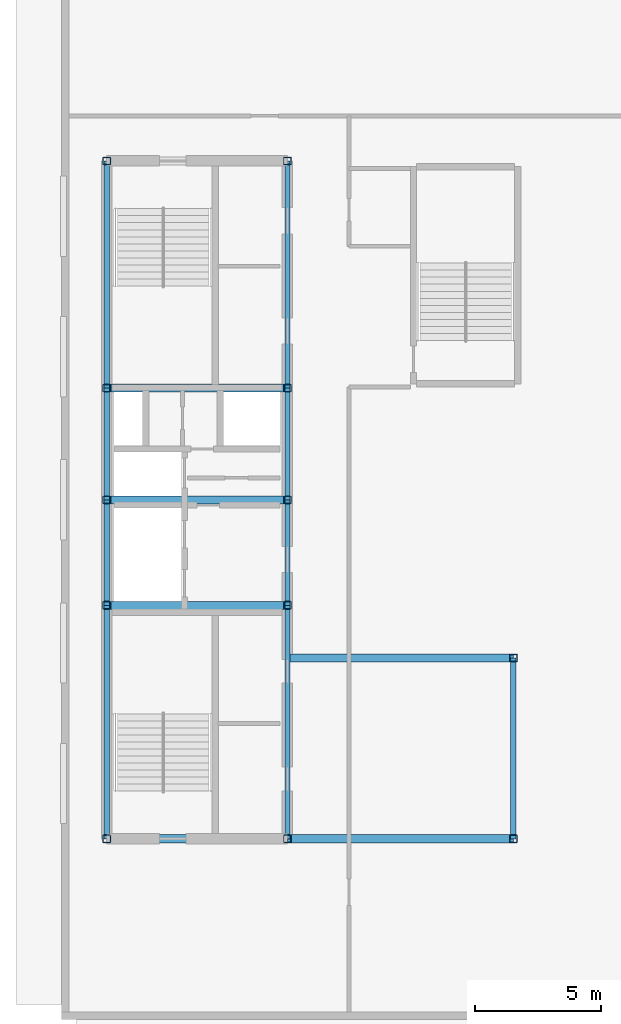
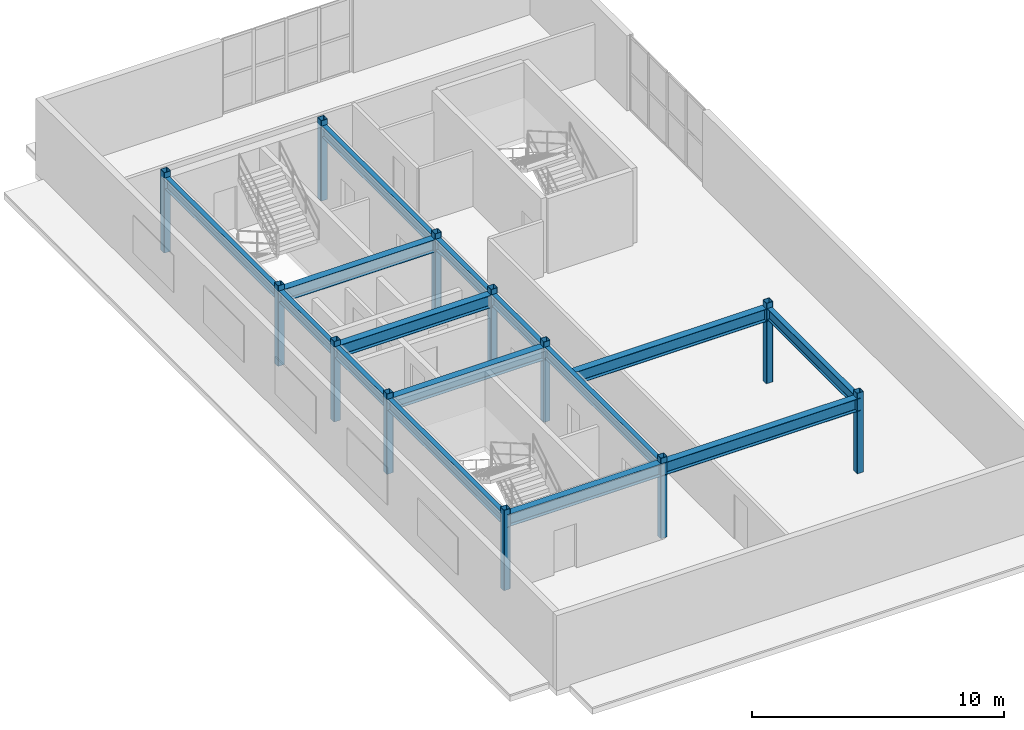
# One storey, part 1 of 9: 15 beams, 12 columns.
"""IFC4 building model written with IfcOpenShell, lengths in metres."""

from ifc_helpers import new_model, entity, si_unit, converted_unit, direction, frame, origin_with_axes, origin_2d_with_axis, place, context, subcontext, project, spatial, hollow_rectangle, i_section, extrude, material, material_profile, profile_set, type_object, element, save


model = new_model("IFC4")

# Units and contexts
model_context = context("Model", 3, precision=1e-05, world=origin_with_axes(), true_north=direction((0.0, 1.0)))
body_context = subcontext(model_context, "Body", "Model", "MODEL_VIEW")
ifc_project = project(units=[si_unit("LENGTHUNIT", "METRE"), si_unit("AREAUNIT", "SQUARE_METRE"), si_unit("VOLUMEUNIT", "CUBIC_METRE"), converted_unit("PLANEANGLEUNIT", "DEGREE", entity("IfcPlaneAngleMeasure", 0.017453292519943295), si_unit("PLANEANGLEUNIT", "RADIAN"), dimensions=[0, 0, 0, 0, 0, 0, 0]), si_unit("MASSUNIT", "GRAM", prefix="KILO"), si_unit("THERMODYNAMICTEMPERATUREUNIT", "KELVIN")], contexts=[model_context])

# Site, building, storey
site_placement = place(None, origin_with_axes())
site = spatial("IfcSite", under=ifc_project, at=site_placement, CompositionType="ELEMENT")
building_placement = place(site_placement, origin_with_axes())
building = spatial("IfcBuilding", under=site, at=building_placement, Name="Varnlund Millrace Tower", CompositionType="ELEMENT")
storey_placement = place(building_placement, frame((0.0, 0.0, 308.7), z_axis=(0.0, 0.0, 1.0), x_axis=(1.0, 0.0, 0.0)))
storey = spatial("IfcBuildingStorey", under=building, at=storey_placement, Name="L76", CompositionType="ELEMENT", Elevation=308.7)

# Columns
ifc_material_1 = material(Name="Steel ASTM A500 Grade C", Category="steel")
ifc_material_profile_1 = material_profile(ifc_material_1, hollow_rectangle(XDim=0.305, YDim=0.305, WallThickness=0.0147, InnerFilletRadius=0.015, OuterFilletRadius=0.03, at=origin_2d_with_axis()), Name="Steel ASTM A500 Grade C")
ifc_profile_set_1 = profile_set([ifc_material_profile_1], Name="Steel ASTM A500 Grade C")
column_type = type_object("IfcColumnType", Name="Type-Col-Crn-HSS12", PredefinedType="COLUMN", material=ifc_profile_set_1)
for number, where, z_axis, x_axis, name in (
    (1, (11.4, 10.8, 0.0), (0.0, 0.0, 1.0), (1.0, 0.0, 0.0), "Type-Col-Crn-HSS12"),
    (2, (11.4, 20.1, 0.0), (0.0, 0.0, 1.0), (1.0, 0.0, 0.0), "Type-Col-Crn-HSS12"),
    (3, (11.4, 24.3, 0.0), (0.0, 0.0, 1.0), (1.0, 0.0, 0.0), "Type-Col-Crn-HSS12"),
    (4, (11.4, 28.75, 0.0), (0.0, 0.0, 1.0), (1.0, 0.0, 0.0), "Type-Col-Crn-HSS12"),
    (5, (11.4, 37.8, 0.0), (0.0, 0.0, 1.0), (1.0, 0.0, 0.0), "Type-Col-Crn-HSS12"),
    (6, (18.6, 10.8, 0.0), (0.0, 0.0, 1.0), (1.0, 0.0, 0.0), "Type-Col-Crn-HSS12"),
    (7, (18.6, 20.1, 0.0), (0.0, 0.0, 1.0), (1.0, 0.0, 0.0), "Type-Col-Crn-HSS12"),
    (8, (18.6, 24.3, 0.0), (0.0, 0.0, 1.0), (1.0, 0.0, 0.0), "Type-Col-Crn-HSS12"),
    (9, (18.6, 28.75, 0.0), (0.0, 0.0, 1.0), (1.0, 0.0, 0.0), "Type-Col-Crn-HSS12"),
    (10, (18.6, 37.8, 0.0), (0.0, 0.0, 1.0), (1.0, 0.0, 0.0), "Type-Col-Crn-HSS12"),
    (11, (27.6, 10.8, 0.0), (0.0, 0.0, 1.0), (1.0, 0.0, 0.0), "Type-Col-Crn-HSS12"),
    (12, (27.6, 18.0, 0.0), (0.0, 0.0, 1.0), (1.0, 0.0, 0.0), "Type-Col-Crn-HSS12"),
):
    element("IfcColumn", number, at=place(storey_placement, frame(where, z_axis=z_axis, x_axis=x_axis)), inside=storey, type_object=column_type, Name=name, PredefinedType="COLUMN", context=body_context, shape_type="SweptSolid", body=[
        extrude(hollow_rectangle(XDim=0.305, YDim=0.305, WallThickness=0.0147, InnerFilletRadius=0.015, OuterFilletRadius=0.03, at=origin_2d_with_axis()), origin_with_axes(), (0.0, 0.0, 1.0), 3.9),
    ])

# Beams
ifc_material_2 = material(Name="Steel ASTM A992 Grade 50", Category="steel")
ifc_material_profile_2 = material_profile(ifc_material_2, i_section(OverallWidth=0.214, OverallDepth=0.549, WebThickness=0.0147, FlangeThickness=0.0236, FilletRadius=0.015, at=origin_2d_with_axis()), Name="Steel ASTM A992 Grade 50")
ifc_profile_set_2 = profile_set([ifc_material_profile_2], Name="Steel ASTM A992 Grade 50")
beam_type_1 = type_object("IfcBeamType", Name="Type-Beam-W21X93", PredefinedType="BEAM", material=ifc_profile_set_2)
beam_1_placement = place(storey_placement, frame((11.4, 10.8, 3.3655), z_axis=(0.0, 1.0, 0.0), x_axis=(-1.0, 0.0, 0.0)))
element("IfcBeam", 13, at=beam_1_placement, inside=storey, type_object=beam_type_1, Name="Type-Beam-W21X93", PredefinedType="BEAM", context=body_context, shape_type="SweptSolid", body=[
    extrude(i_section(OverallWidth=0.214, OverallDepth=0.549, WebThickness=0.0147, FlangeThickness=0.0236, FilletRadius=0.015, at=origin_2d_with_axis()), origin_with_axes(), (0.0, 0.0, 1.0), 9.3),
])
beam_2_placement = place(storey_placement, frame((11.4, 20.1, 3.3655), z_axis=(0.0, 1.0, 0.0), x_axis=(-1.0, 0.0, 0.0)))
element("IfcBeam", 14, at=beam_2_placement, inside=storey, type_object=beam_type_1, Name="Type-Beam-W21X93", PredefinedType="BEAM", context=body_context, shape_type="SweptSolid", body=[
    extrude(i_section(OverallWidth=0.214, OverallDepth=0.549, WebThickness=0.0147, FlangeThickness=0.0236, FilletRadius=0.015, at=origin_2d_with_axis()), origin_with_axes(), (0.0, 0.0, 1.0), 4.2),
])
beam_3_placement = place(storey_placement, frame((11.4, 24.3, 3.3655), z_axis=(0.0, 1.0, 0.0), x_axis=(-1.0, 0.0, 0.0)))
element("IfcBeam", 15, at=beam_3_placement, inside=storey, type_object=beam_type_1, Name="Type-Beam-W21X93", PredefinedType="BEAM", context=body_context, shape_type="SweptSolid", body=[
    extrude(i_section(OverallWidth=0.214, OverallDepth=0.549, WebThickness=0.0147, FlangeThickness=0.0236, FilletRadius=0.015, at=origin_2d_with_axis()), origin_with_axes(), (0.0, 0.0, 1.0), 4.45),
])
beam_4_placement = place(storey_placement, frame((11.4, 28.75, 3.3655), z_axis=(0.0, 1.0, 0.0), x_axis=(-1.0, 0.0, 0.0)))
element("IfcBeam", 16, at=beam_4_placement, inside=storey, type_object=beam_type_1, Name="Type-Beam-W21X93", PredefinedType="BEAM", context=body_context, shape_type="SweptSolid", body=[
    extrude(i_section(OverallWidth=0.214, OverallDepth=0.549, WebThickness=0.0147, FlangeThickness=0.0236, FilletRadius=0.015, at=origin_2d_with_axis()), origin_with_axes(), (0.0, 0.0, 1.0), 9.05),
])
beam_5_placement = place(storey_placement, frame((18.6, 10.8, 3.3655), z_axis=(0.0, 1.0, 0.0), x_axis=(-1.0, 0.0, 0.0)))
element("IfcBeam", 17, at=beam_5_placement, inside=storey, type_object=beam_type_1, Name="Type-Beam-W21X93", PredefinedType="BEAM", context=body_context, shape_type="SweptSolid", body=[
    extrude(i_section(OverallWidth=0.214, OverallDepth=0.549, WebThickness=0.0147, FlangeThickness=0.0236, FilletRadius=0.015, at=origin_2d_with_axis()), origin_with_axes(), (0.0, 0.0, 1.0), 9.3),
])
beam_6_placement = place(storey_placement, frame((18.6, 20.1, 3.3655), z_axis=(0.0, 1.0, 0.0), x_axis=(-1.0, 0.0, 0.0)))
element("IfcBeam", 18, at=beam_6_placement, inside=storey, type_object=beam_type_1, Name="Type-Beam-W21X93", PredefinedType="BEAM", context=body_context, shape_type="SweptSolid", body=[
    extrude(i_section(OverallWidth=0.214, OverallDepth=0.549, WebThickness=0.0147, FlangeThickness=0.0236, FilletRadius=0.015, at=origin_2d_with_axis()), origin_with_axes(), (0.0, 0.0, 1.0), 4.2),
])
beam_7_placement = place(storey_placement, frame((18.6, 24.3, 3.3655), z_axis=(0.0, 1.0, 0.0), x_axis=(-1.0, 0.0, 0.0)))
element("IfcBeam", 19, at=beam_7_placement, inside=storey, type_object=beam_type_1, Name="Type-Beam-W21X93", PredefinedType="BEAM", context=body_context, shape_type="SweptSolid", body=[
    extrude(i_section(OverallWidth=0.214, OverallDepth=0.549, WebThickness=0.0147, FlangeThickness=0.0236, FilletRadius=0.015, at=origin_2d_with_axis()), origin_with_axes(), (0.0, 0.0, 1.0), 4.45),
])
beam_8_placement = place(storey_placement, frame((18.6, 28.75, 3.3655), z_axis=(0.0, 1.0, 0.0), x_axis=(-1.0, 0.0, 0.0)))
element("IfcBeam", 20, at=beam_8_placement, inside=storey, type_object=beam_type_1, Name="Type-Beam-W21X93", PredefinedType="BEAM", context=body_context, shape_type="SweptSolid", body=[
    extrude(i_section(OverallWidth=0.214, OverallDepth=0.549, WebThickness=0.0147, FlangeThickness=0.0236, FilletRadius=0.015, at=origin_2d_with_axis()), origin_with_axes(), (0.0, 0.0, 1.0), 9.05),
])
beam_9_placement = place(storey_placement, frame((27.6, 10.8, 3.3655), z_axis=(0.0, 1.0, 0.0), x_axis=(-1.0, 0.0, 0.0)))
element("IfcBeam", 21, at=beam_9_placement, inside=storey, type_object=beam_type_1, Name="Type-Beam-W21X93", PredefinedType="BEAM", context=body_context, shape_type="SweptSolid", body=[
    extrude(i_section(OverallWidth=0.214, OverallDepth=0.549, WebThickness=0.0147, FlangeThickness=0.0236, FilletRadius=0.015, at=origin_2d_with_axis()), origin_with_axes(), (0.0, 0.0, 1.0), 7.2),
])
ifc_material_profile_3 = material_profile(ifc_material_2, i_section(OverallWidth=0.324, OverallDepth=0.611, WebThickness=0.0127, FlangeThickness=0.0191, FilletRadius=0.016, at=origin_2d_with_axis()), Name="Steel ASTM A992 Grade 50")
ifc_profile_set_3 = profile_set([ifc_material_profile_3], Name="Steel ASTM A992 Grade 50")
beam_type_2 = type_object("IfcBeamType", Name="Type-Girder-W24X104", PredefinedType="USERDEFINED", material=ifc_profile_set_3)
beam_10_placement = place(storey_placement, frame((11.4, 10.8, 3.3345), z_axis=(1.0, 0.0, 0.0), x_axis=(0.0, 1.0, 0.0)))
element("IfcBeam", 22, at=beam_10_placement, inside=storey, type_object=beam_type_2, Name="Type-Girder-W24X104", ObjectType="GIRDER", PredefinedType="USERDEFINED", context=body_context, shape_type="SweptSolid", body=[
    extrude(i_section(OverallWidth=0.324, OverallDepth=0.611, WebThickness=0.0127, FlangeThickness=0.0191, FilletRadius=0.016, at=origin_2d_with_axis()), origin_with_axes(), (0.0, 0.0, 1.0), 7.2),
])
for number, where, z_axis, x_axis, name in (
    (23, (18.6, 10.8, 3.3345), (1.0, 0.0, 0.0), (0.0, 1.0, 0.0), "Type-Girder-W24X104"),
    (24, (18.6, 18.0, 3.3345), (1.0, 0.0, 0.0), (0.0, 1.0, 0.0), "Type-Girder-W24X104"),
):
    element("IfcBeam", number, at=place(storey_placement, frame(where, z_axis=z_axis, x_axis=x_axis)), inside=storey, type_object=beam_type_2, Name=name, ObjectType="GIRDER", PredefinedType="USERDEFINED", context=body_context, shape_type="SweptSolid", body=[
        extrude(i_section(OverallWidth=0.324, OverallDepth=0.611, WebThickness=0.0127, FlangeThickness=0.0191, FilletRadius=0.016, at=origin_2d_with_axis()), origin_with_axes(), (0.0, 0.0, 1.0), 9.0),
    ])
for number, where, z_axis, x_axis, name in (
    (25, (11.4, 20.1, 3.3345), (1.0, 0.0, 0.0), (0.0, 1.0, 0.0), "Type-Girder-W24X104"),
    (26, (11.4, 24.3, 3.3345), (1.0, 0.0, 0.0), (0.0, 1.0, 0.0), "Type-Girder-W24X104"),
    (27, (11.4, 28.75, 3.3345), (1.0, 0.0, 0.0), (0.0, 1.0, 0.0), "Type-Girder-W24X104"),
):
    element("IfcBeam", number, at=place(storey_placement, frame(where, z_axis=z_axis, x_axis=x_axis)), inside=storey, type_object=beam_type_2, Name=name, ObjectType="GIRDER", PredefinedType="USERDEFINED", context=body_context, shape_type="SweptSolid", body=[
        extrude(i_section(OverallWidth=0.324, OverallDepth=0.611, WebThickness=0.0127, FlangeThickness=0.0191, FilletRadius=0.016, at=origin_2d_with_axis()), origin_with_axes(), (0.0, 0.0, 1.0), 7.2),
    ])

save(model, "model.ifc")
